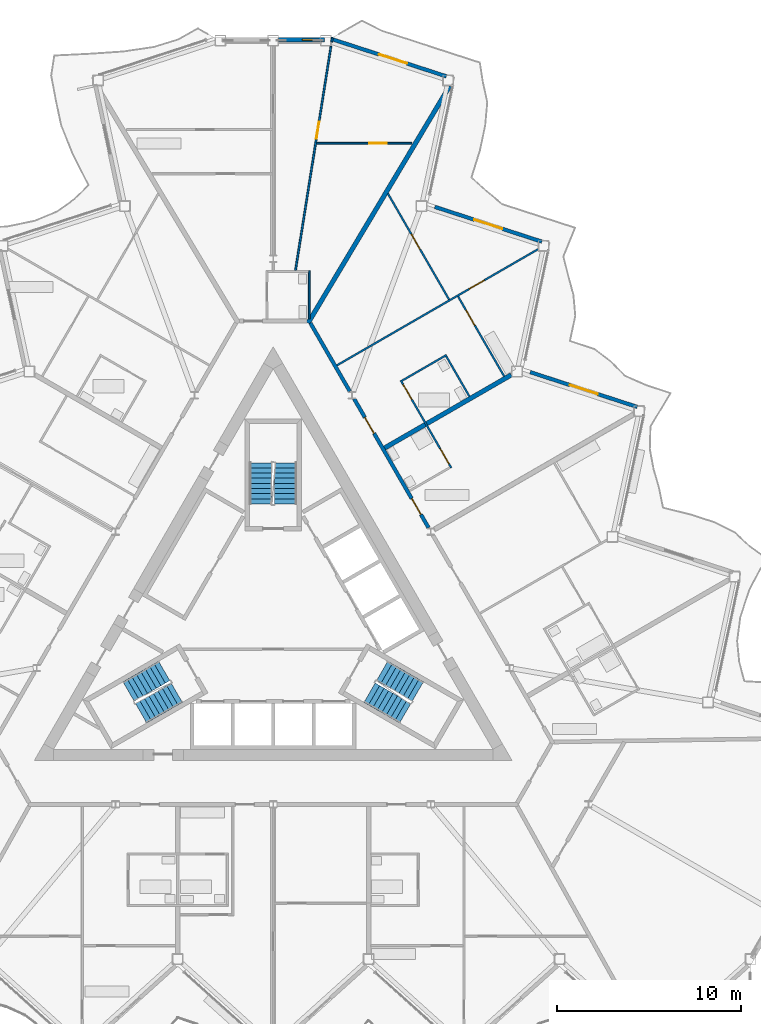
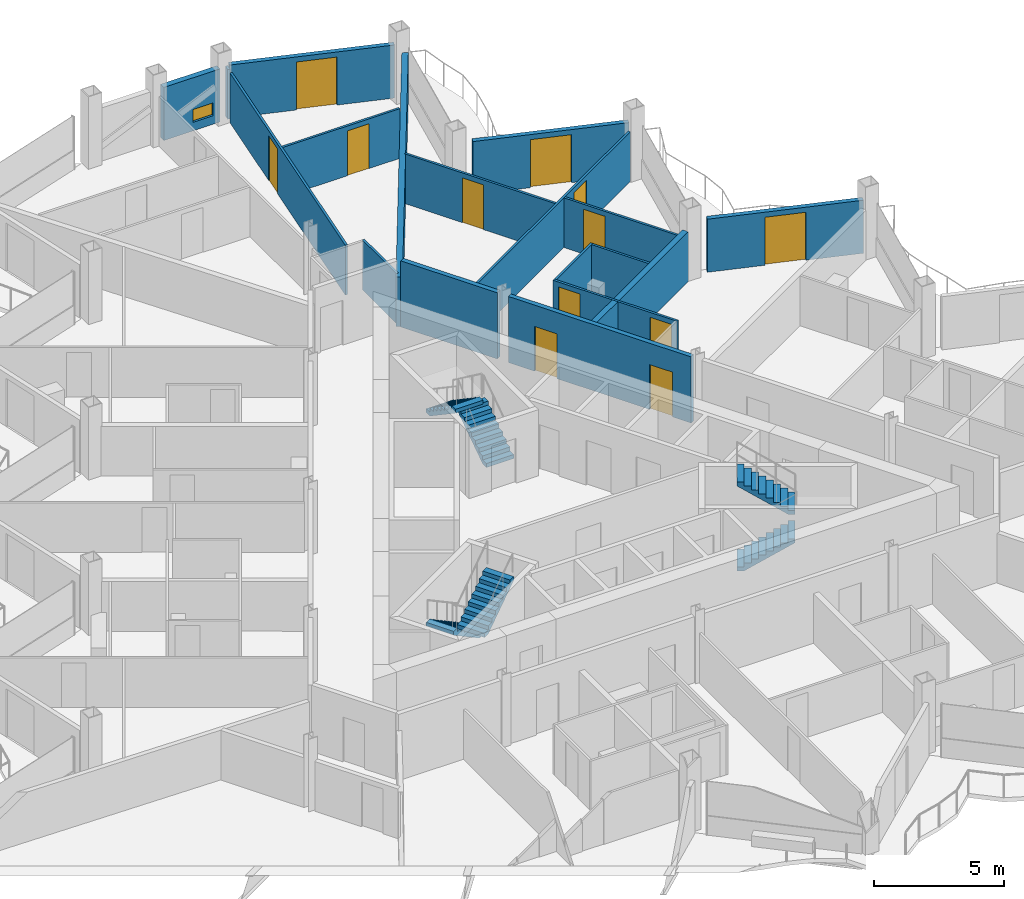
# One storey, part 18 of 26: 18 walls, 12 doors, 6 stair flights, 1 window, 13 openings, 3 elements without a shape of their own.
"""IFC4 building model written with IfcOpenShell, lengths in metres."""

from ifc_helpers import new_model, si_unit, direction, frame, frame_2d, origin, place, context, subcontext, project, spatial, polyline, rectangle, outline, extrude, material, layer, layer_set, type_object, element, fill, aggregate, save


model = new_model("IFC4")

# Units and contexts
model_context = context("Model", 3, precision=1e-05, world=origin(), true_north=direction((0.0, 1.0)))
body_context = subcontext(model_context, "Body", "Model", "MODEL_VIEW")
ifc_project = project(units=[si_unit("LENGTHUNIT", "METRE"), si_unit("AREAUNIT", "SQUARE_METRE"), si_unit("VOLUMEUNIT", "CUBIC_METRE"), si_unit("PLANEANGLEUNIT", "RADIAN"), si_unit("MASSUNIT", "GRAM", prefix="KILO")], contexts=[model_context])

# Site, building, storey
site_placement = place(None, origin())
site = spatial("IfcSite", under=ifc_project, at=site_placement, CompositionType="ELEMENT")
building_placement = place(site_placement, origin())
building = spatial("IfcBuilding", under=site, at=building_placement, Name="Cormorant Prow Tower", CompositionType="ELEMENT")
storey_placement = place(building_placement, frame((0.0, 0.0, 322.199951171875)))
storey = spatial("IfcBuildingStorey", under=building, at=storey_placement, Name="L71", CompositionType="ELEMENT", Elevation=322.199951171875)

# Wall, openings, doors
ifc_material_1 = material(Name="Gypsum board corridor wall")
ifc_layer_1 = layer(ifc_material_1, 0.199951171875)
ifc_layer_set_1 = layer_set([ifc_layer_1], Name="Gypsum board corridor wall")
wall_type_1 = type_object("IfcWallType", Name="Corridor wall 200", PredefinedType="PARTITIONING", material=ifc_layer_set_1)
wall_1_placement = place(storey_placement, frame((4.4091796875, 12.17431640625, 0.0), z_axis=(0.0, 0.0, 1.0), x_axis=(0.499984266882, -0.866034487114, 0.0)))
wall_1 = element("IfcWall", 1, at=wall_1_placement, inside=storey, type_object=wall_type_1, Name="Corridor wall", PredefinedType="PARTITIONING", context=body_context, shape_type="SweptSolid", body=[
    extrude(rectangle(XDim=8.098876953125, YDim=0.199951171875, at=frame_2d((4.04931640625, 0.0))), origin(), (0.0, 0.0, 1.0), 3.10009765625),
])
opening_1_placement = place(wall_1_placement, frame((6.268798828125, 0.0, 0.0)))
opening_1 = element("IfcOpeningElement", 2, at=opening_1_placement, cuts=wall_1, Name="Opening L71-F25", PredefinedType="OPENING", context=body_context, shape_type="SweptSolid", body=[
    extrude(rectangle(XDim=1.0, YDim=2.10009765625, at=frame_2d((0.5, 1.050048828125))), frame((0.0, 0.10986328125, 0.0), z_axis=(0.0, -1.0, 0.0), x_axis=(1.0, 0.0, 0.0)), (0.0, 0.0, 1.0), 0.219970703125),
])
opening_2_placement = place(wall_1_placement, frame((1.16357421875, 0.0, 0.0)))
opening_2 = element("IfcOpeningElement", 3, at=opening_2_placement, cuts=wall_1, Name="Opening L71-F27", PredefinedType="OPENING", context=body_context, shape_type="SweptSolid", body=[
    extrude(rectangle(XDim=1.0, YDim=2.10009765625, at=frame_2d((0.5, 1.050048828125))), frame((0.0, 0.10986328125, 0.0), z_axis=(0.0, -1.0, 0.0), x_axis=(1.0, 0.0, 0.0)), (0.0, 0.0, 1.0), 0.219970703125),
])
ifc_material_2 = material(Name="Timber door leaf", Category="wood")
door_type_1 = type_object("IfcDoorType", Name="Flat or room entrance door 1000x2100", OperationType="NOTDEFINED", PredefinedType="DOOR", material=ifc_material_2)
door_1_placement = place(opening_1_placement, origin())
door_1 = element("IfcDoor", 4, at=door_1_placement, inside=storey, type_object=door_type_1, Name="Studio living, kitchen and sleeping room door", OperationType="SINGLE_SWING_LEFT", OverallHeight=2.10009765625, OverallWidth=1.0, PredefinedType="DOOR", context=body_context, shape_type="SweptSolid", body=[
    extrude(rectangle(XDim=1.0, YDim=2.10009765625, at=frame_2d((0.5, 1.050048828125))), frame((0.0, 0.02490234375, 0.0), z_axis=(0.0, -1.0, 0.0), x_axis=(1.0, 0.0, 0.0)), (0.0, 0.0, 1.0), 0.050048828125),
])
fill(opening_1, door_1)
door_2_placement = place(opening_2_placement, origin())
door_2 = element("IfcDoor", 5, at=door_2_placement, inside=storey, type_object=door_type_1, Name="Living room door", OperationType="SINGLE_SWING_RIGHT", OverallHeight=2.10009765625, OverallWidth=1.0, PredefinedType="DOOR", context=body_context, shape_type="SweptSolid", body=[
    extrude(rectangle(XDim=1.0, YDim=2.10009765625, at=frame_2d((0.5, 1.050048828125))), frame((0.0, 0.02490234375, 0.0), z_axis=(0.0, -1.0, 0.0), x_axis=(1.0, 0.0, 0.0)), (0.0, 0.0, 1.0), 0.050048828125),
])
fill(opening_2, door_2)

# Wall
wall_2_placement = place(storey_placement, frame((2.025390625, 16.302978515625, 0.0), z_axis=(0.0, 0.0, 1.0), x_axis=(0.499978750566, -0.866037671803, 0.0)))
element("IfcWall", 6, at=wall_2_placement, inside=storey, type_object=wall_type_1, Name="Corridor wall", PredefinedType="PARTITIONING", context=body_context, shape_type="SweptSolid", body=[
    extrude(rectangle(XDim=4.287841796875, YDim=0.199951171875, at=frame_2d((2.14404296875, 0.0))), origin(), (0.0, 0.0, 1.0), 3.10009765625),
])

# Wall, opening, door
ifc_material_3 = material(Name="Gypsum board partition")
ifc_layer_2 = layer(ifc_material_3, 0.10009765625)
ifc_layer_set_2 = layer_set([ifc_layer_2], Name="Gypsum board partition")
wall_type_2 = type_object("IfcWallType", Name="Internal partition 100", PredefinedType="PARTITIONING", material=ifc_layer_set_2)
wall_3_placement = place(storey_placement, frame((3.470458984375, 14.000244140625, 0.0), z_axis=(0.0, 0.0, 1.0), x_axis=(0.866021216079, 0.500007253249, 0.0)))
wall_3 = element("IfcWall", 7, at=wall_3_placement, inside=storey, type_object=wall_type_2, Name="Internal partition", PredefinedType="PARTITIONING", context=body_context, shape_type="SweptSolid", body=[
    extrude(rectangle(XDim=12.639404296875, YDim=0.10009765625, at=frame_2d((6.31982421875, 0.0))), origin(), (0.0, 0.0, 1.0), 2.330078125),
])
opening_3_placement = place(wall_3_placement, frame((8.314453125, 0.0, 0.0)))
opening_3 = element("IfcOpeningElement", 8, at=opening_3_placement, cuts=wall_3, Name="Opening L71-F30", PredefinedType="OPENING", context=body_context, shape_type="SweptSolid", body=[
    extrude(rectangle(XDim=0.949951171875, YDim=2.10009765625, at=frame_2d((0.47509765625, 1.050048828125))), frame((0.0, 0.06005859375, 0.0), z_axis=(0.0, -1.0, 0.0), x_axis=(1.0, 0.0, 0.0)), (0.0, 0.0, 1.0), 0.1201171875),
])
ifc_material_4 = material(Name="Timber door leaf", Category="wood")
door_type_2 = type_object("IfcDoorType", Name="Bathroom door 950x2100", OperationType="NOTDEFINED", PredefinedType="DOOR", material=ifc_material_4)
door_3_placement = place(opening_3_placement, origin())
door_3 = element("IfcDoor", 9, at=door_3_placement, inside=storey, type_object=door_type_2, Name="Kitchen door", OperationType="SINGLE_SWING_LEFT", OverallHeight=2.10009765625, OverallWidth=0.949951171875, PredefinedType="DOOR", context=body_context, shape_type="SweptSolid", body=[
    extrude(rectangle(XDim=0.949951171875, YDim=2.10009765625, at=frame_2d((0.47509765625, 1.050048828125))), frame((0.0, 0.02490234375, 0.0), z_axis=(0.0, -1.0, 0.0), x_axis=(1.0, 0.0, 0.0)), (0.0, 0.0, 1.0), 0.050048828125),
])
fill(opening_3, door_3)

wall_4_placement = place(storey_placement, frame((1.21337890625, 19.160400390625, 0.0), z_axis=(0.0, 0.0, 1.0), x_axis=(0.156426176129, 0.987689653394, 0.0)))
wall_4 = element("IfcWall", 10, at=wall_4_placement, inside=storey, type_object=wall_type_2, Name="Internal partition", PredefinedType="PARTITIONING", context=body_context, shape_type="SweptSolid", body=[
    extrude(rectangle(XDim=12.35791015625, YDim=0.10009765625, at=frame_2d((6.178955078125, 0.0))), origin(), (0.0, 0.0, 1.0), 2.330078125),
])
opening_4_placement = place(wall_4_placement, frame((7.2548828125, 0.0, 0.0)))
opening_4 = element("IfcOpeningElement", 11, at=opening_4_placement, cuts=wall_4, Name="Opening L71-F37", PredefinedType="OPENING", context=body_context, shape_type="SweptSolid", body=[
    extrude(rectangle(XDim=0.949951171875, YDim=2.10009765625, at=frame_2d((0.47509765625, 1.050048828125))), frame((0.0, 0.06005859375, 0.0), z_axis=(0.0, -1.0, 0.0), x_axis=(1.0, 0.0, 0.0)), (0.0, 0.0, 1.0), 0.1201171875),
])
door_4_placement = place(opening_4_placement, origin())
door_4 = element("IfcDoor", 12, at=door_4_placement, inside=storey, type_object=door_type_2, Name="Bedroom door", OperationType="SINGLE_SWING_LEFT", OverallHeight=2.10009765625, OverallWidth=0.949951171875, PredefinedType="DOOR", context=body_context, shape_type="SweptSolid", body=[
    extrude(rectangle(XDim=0.949951171875, YDim=2.10009765625, at=frame_2d((0.47509765625, 1.050048828125))), frame((0.0, 0.02490234375, 0.0), z_axis=(0.0, -1.0, 0.0), x_axis=(1.0, 0.0, 0.0)), (0.0, 0.0, 1.0), 0.050048828125),
])
fill(opening_4, door_4)

wall_5_placement = place(storey_placement, frame((6.2412109375, 23.357421875, 0.0), z_axis=(0.0, 0.0, 1.0), x_axis=(0.499998189891, -0.866026448849, 0.0)))
wall_5 = element("IfcWall", 13, at=wall_5_placement, inside=storey, type_object=wall_type_2, Name="Internal partition", PredefinedType="PARTITIONING", context=body_context, shape_type="SweptSolid", body=[
    extrude(rectangle(XDim=6.66796875, YDim=0.10009765625, at=frame_2d((3.333984375, 0.0))), origin(), (0.0, 0.0, 1.0), 2.330078125),
])
opening_5_placement = place(wall_5_placement, frame((2.557861328125, 0.0, 0.0)))
opening_5 = element("IfcOpeningElement", 14, at=opening_5_placement, cuts=wall_5, Name="Opening L71-F31", PredefinedType="OPENING", context=body_context, shape_type="SweptSolid", body=[
    extrude(rectangle(XDim=0.949951171875, YDim=2.10009765625, at=frame_2d((0.47509765625, 1.050048828125))), frame((0.0, 0.06005859375, 0.0), z_axis=(0.0, -1.0, 0.0), x_axis=(1.0, 0.0, 0.0)), (0.0, 0.0, 1.0), 0.1201171875),
])
door_5_placement = place(opening_5_placement, origin())
door_5 = element("IfcDoor", 15, at=door_5_placement, inside=storey, type_object=door_type_2, Name="Bedroom door", OperationType="SINGLE_SWING_LEFT", OverallHeight=2.10009765625, OverallWidth=0.949951171875, PredefinedType="DOOR", context=body_context, shape_type="SweptSolid", body=[
    extrude(rectangle(XDim=0.949951171875, YDim=2.10009765625, at=frame_2d((0.47509765625, 1.050048828125))), frame((0.0, 0.02490234375, 0.0), z_axis=(0.0, -1.0, 0.0), x_axis=(1.0, 0.0, 0.0)), (0.0, 0.0, 1.0), 0.050048828125),
])
fill(opening_5, door_5)

# Wall, openings, doors
wall_6_placement = place(storey_placement, frame((6.9443359375, 13.18310546875, 0.0), z_axis=(0.0, 0.0, 1.0), x_axis=(0.499996545922, -0.866027397988, 0.0)))
wall_6 = element("IfcWall", 16, at=wall_6_placement, inside=storey, type_object=wall_type_2, Name="Internal partition", PredefinedType="PARTITIONING", context=body_context, shape_type="SweptSolid", body=[
    extrude(rectangle(XDim=5.5, YDim=0.10009765625, at=frame_2d((2.75, 0.0))), origin(), (0.0, 0.0, 1.0), 2.330078125),
])
opening_6_placement = place(wall_6_placement, frame((4.300048828125, 0.0, 0.0)))
opening_6 = element("IfcOpeningElement", 17, at=opening_6_placement, cuts=wall_6, Name="Opening L71-F26", PredefinedType="OPENING", context=body_context, shape_type="SweptSolid", body=[
    extrude(rectangle(XDim=0.949951171875, YDim=2.10009765625, at=frame_2d((0.47509765625, 1.050048828125))), frame((0.0, 0.06005859375, 0.0), z_axis=(0.0, -1.0, 0.0), x_axis=(1.0, 0.0, 0.0)), (0.0, 0.0, 1.0), 0.1201171875),
])
opening_7_placement = place(wall_6_placement, frame((0.25, 0.0, 0.0)))
opening_7 = element("IfcOpeningElement", 18, at=opening_7_placement, cuts=wall_6, Name="Opening L71-F28", PredefinedType="OPENING", context=body_context, shape_type="SweptSolid", body=[
    extrude(rectangle(XDim=0.949951171875, YDim=2.10009765625, at=frame_2d((0.47509765625, 1.050048828125))), frame((0.0, 0.06005859375, 0.0), z_axis=(0.0, -1.0, 0.0), x_axis=(1.0, 0.0, 0.0)), (0.0, 0.0, 1.0), 0.1201171875),
])
door_6_placement = place(opening_6_placement, origin())
door_6 = element("IfcDoor", 19, at=door_6_placement, inside=storey, type_object=door_type_2, Name="Studio living, kitchen and sleeping room door", OperationType="SINGLE_SWING_RIGHT", OverallHeight=2.10009765625, OverallWidth=0.949951171875, PredefinedType="DOOR", context=body_context, shape_type="SweptSolid", body=[
    extrude(rectangle(XDim=0.949951171875, YDim=2.10009765625, at=frame_2d((0.47509765625, 1.050048828125))), frame((0.0, 0.02490234375, 0.0), z_axis=(0.0, -1.0, 0.0), x_axis=(1.0, 0.0, 0.0)), (0.0, 0.0, 1.0), 0.050048828125),
])
fill(opening_6, door_6)
door_7_placement = place(opening_7_placement, origin())
door_7 = element("IfcDoor", 20, at=door_7_placement, inside=storey, type_object=door_type_2, Name="Living room door", OperationType="SINGLE_SWING_LEFT", OverallHeight=2.10009765625, OverallWidth=0.949951171875, PredefinedType="DOOR", context=body_context, shape_type="SweptSolid", body=[
    extrude(rectangle(XDim=0.949951171875, YDim=2.10009765625, at=frame_2d((0.47509765625, 1.050048828125))), frame((0.0, 0.02490234375, 0.0), z_axis=(0.0, -1.0, 0.0), x_axis=(1.0, 0.0, 0.0)), (0.0, 0.0, 1.0), 0.050048828125),
])
fill(opening_7, door_7)

# Wall, opening, door
wall_7_placement = place(storey_placement, frame((2.36083984375, 26.090087890625, 0.0), z_axis=(0.0, 0.0, 1.0), x_axis=(1.0, 0.0, 0.0)))
wall_7 = element("IfcWall", 21, at=wall_7_placement, inside=storey, type_object=wall_type_2, Name="Internal partition", PredefinedType="PARTITIONING", context=body_context, shape_type="SweptSolid", body=[
    extrude(rectangle(XDim=5.190185546875, YDim=0.10009765625, at=frame_2d((2.59521484375, 0.0))), origin(), (0.0, 0.0, 1.0), 2.330078125),
])
opening_8_placement = place(wall_7_placement, frame((2.878173828125, 0.0, 0.0)))
opening_8 = element("IfcOpeningElement", 22, at=opening_8_placement, cuts=wall_7, Name="Opening L71-F38", PredefinedType="OPENING", context=body_context, shape_type="SweptSolid", body=[
    extrude(rectangle(XDim=0.949951171875, YDim=2.10009765625, at=frame_2d((0.47509765625, 1.050048828125))), frame((0.0, 0.06005859375, 0.0), z_axis=(0.0, -1.0, 0.0), x_axis=(1.0, 0.0, 0.0)), (0.0, 0.0, 1.0), 0.1201171875),
])
door_8_placement = place(opening_8_placement, origin())
door_8 = element("IfcDoor", 23, at=door_8_placement, inside=storey, type_object=door_type_2, Name="Bedroom door", OperationType="SINGLE_SWING_LEFT", OverallHeight=2.10009765625, OverallWidth=0.949951171875, PredefinedType="DOOR", context=body_context, shape_type="SweptSolid", body=[
    extrude(rectangle(XDim=0.949951171875, YDim=2.10009765625, at=frame_2d((0.47509765625, 1.050048828125))), frame((0.0, 0.02490234375, 0.0), z_axis=(0.0, -1.0, 0.0), x_axis=(1.0, 0.0, 0.0)), (0.0, 0.0, 1.0), 0.050048828125),
])
fill(opening_8, door_8)

wall_8_placement = place(storey_placement, frame((10.065185546875, 17.75, 0.0), z_axis=(0.0, 0.0, 1.0), x_axis=(0.499989096993, -0.866031698547, 0.0)))
wall_8 = element("IfcWall", 24, at=wall_8_placement, inside=storey, type_object=wall_type_2, Name="Internal partition", PredefinedType="PARTITIONING", context=body_context, shape_type="SweptSolid", body=[
    extrude(rectangle(XDim=5.01953125, YDim=0.10009765625, at=frame_2d((2.509765625, 0.0))), origin(), (0.0, 0.0, 1.0), 2.330078125),
])
opening_9_placement = place(wall_8_placement, frame((0.862060546875, 0.0, 0.0)))
opening_9 = element("IfcOpeningElement", 25, at=opening_9_placement, cuts=wall_8, Name="Opening L71-F29", PredefinedType="OPENING", context=body_context, shape_type="SweptSolid", body=[
    extrude(rectangle(XDim=0.949951171875, YDim=2.10009765625, at=frame_2d((0.47509765625, 1.050048828125))), frame((0.0, 0.06005859375, 0.0), z_axis=(0.0, -1.0, 0.0), x_axis=(1.0, 0.0, 0.0)), (0.0, 0.0, 1.0), 0.1201171875),
])
door_9_placement = place(opening_9_placement, origin())
door_9 = element("IfcDoor", 26, at=door_9_placement, inside=storey, type_object=door_type_2, Name="Living room door", OperationType="SINGLE_SWING_LEFT", OverallHeight=2.10009765625, OverallWidth=0.949951171875, PredefinedType="DOOR", context=body_context, shape_type="SweptSolid", body=[
    extrude(rectangle(XDim=0.949951171875, YDim=2.10009765625, at=frame_2d((0.47509765625, 1.050048828125))), frame((0.0, 0.02490234375, 0.0), z_axis=(0.0, -1.0, 0.0), x_axis=(1.0, 0.0, 0.0)), (0.0, 0.0, 1.0), 0.050048828125),
])
fill(opening_9, door_9)

# Walls
wall_9_placement = place(storey_placement, frame((7.0126953125, 13.164794921875, 0.0), z_axis=(0.0, 0.0, 1.0), x_axis=(0.866034573852, 0.49998411664, 0.0)))
element("IfcWall", 27, at=wall_9_placement, inside=storey, type_object=wall_type_2, Name="Internal partition", PredefinedType="PARTITIONING", context=body_context, shape_type="SweptSolid", body=[
    extrude(rectangle(XDim=2.7998046875, YDim=0.10009765625, at=frame_2d((1.39990234375, 0.0))), origin(), (0.0, 0.0, 1.0), 2.330078125),
])
wall_10_placement = place(storey_placement, frame((1.962890625, 16.5361328125, 0.0), z_axis=(0.0, 0.0, 1.0), x_axis=(0.0, 1.0, 0.0)))
element("IfcWall", 28, at=wall_10_placement, inside=storey, type_object=wall_type_2, Name="Internal partition", PredefinedType="PARTITIONING", context=body_context, shape_type="SweptSolid", body=[
    extrude(rectangle(XDim=2.625, YDim=0.10009765625, at=frame_2d((1.3125, 0.0))), origin(), (0.0, 0.0, 1.0), 2.330078125),
])
wall_11_placement = place(storey_placement, frame((9.419189453125, 14.49658203125, 0.0), z_axis=(0.0, 0.0, 1.0), x_axis=(0.499976333282, -0.866039067339, 0.0)))
element("IfcWall", 29, at=wall_11_placement, inside=storey, type_object=wall_type_2, Name="Internal partition", PredefinedType="PARTITIONING", context=body_context, shape_type="SweptSolid", body=[
    extrude(rectangle(XDim=2.52490234375, YDim=0.10009765625, at=frame_2d((1.262451171875, 0.0))), origin(), (0.0, 0.0, 1.0), 2.330078125),
])
wall_12_placement = place(storey_placement, frame((3.183837890625, 31.601318359375, 0.0), z_axis=(0.0, 0.0, 1.0), x_axis=(0.156307264128, 0.987708478844, 0.0)))
element("IfcWall", 30, at=wall_12_placement, inside=storey, type_object=wall_type_2, Name="Internal partition", PredefinedType="PARTITIONING", context=body_context, shape_type="SweptSolid", body=[
    extrude(rectangle(XDim=0.254638671875, YDim=0.10009765625, at=frame_2d((0.12744140625, 0.0))), origin(), (0.0, 0.0, 1.0), 2.330078125),
])
ifc_material_5 = material(Name="Acoustic gypsum party wall")
ifc_layer_3 = layer(ifc_material_5, 0.25)
ifc_layer_set_3 = layer_set([ifc_layer_3], Name="Acoustic gypsum party wall")
wall_type_3 = type_object("IfcWallType", Name="Suite party wall 250", PredefinedType="PARTITIONING", material=ifc_layer_set_3)
wall_13_placement = place(storey_placement, frame((1.89892578125, 16.3037109375, 0.0), z_axis=(0.0, 0.0, 1.0), x_axis=(0.512977925681, 0.858401798556, 0.0)))
element("IfcWall", 31, at=wall_13_placement, inside=storey, type_object=wall_type_3, Name="Suite party wall", PredefinedType="PARTITIONING", context=body_context, shape_type="SweptSolid", body=[
    extrude(rectangle(XDim=15.0283203125, YDim=0.25, at=frame_2d((7.51416015625, 0.0))), origin(), (0.0, 0.0, 1.0), 2.330078125),
])
wall_14_placement = place(storey_placement, frame((6.067626953125, 9.50146484375, 0.0), z_axis=(0.0, 0.0, 1.0), x_axis=(0.866022671543, 0.50000473235, 0.0)))
element("IfcWall", 32, at=wall_14_placement, inside=storey, type_object=wall_type_3, Name="Suite party wall", PredefinedType="PARTITIONING", context=body_context, shape_type="SweptSolid", body=[
    extrude(rectangle(XDim=7.9609375, YDim=0.25, at=frame_2d((3.98046875, 0.0))), origin(), (0.0, 0.0, 1.0), 2.330078125),
])

# Wall, opening, window
ifc_material_6 = material(Name="Terracotta", Category="masonry")
ifc_layer_4 = layer(ifc_material_6, 0.25)
ifc_layer_set_4 = layer_set([ifc_layer_4], Name="Terracotta")
wall_type_4 = type_object("IfcWallType", Name="Terracotta bay wall 250", PredefinedType="SOLIDWALL", material=ifc_layer_set_4)
wall_15_placement = place(storey_placement, frame((2.78955078125, 31.727783203125, 0.0), z_axis=(0.0, 0.0, 1.0), x_axis=(-1.0, 0.0, 0.0)))
wall_15 = element("IfcWall", 33, at=wall_15_placement, inside=storey, type_object=wall_type_4, Name="Terracotta bay wall N00", PredefinedType="SOLIDWALL", context=body_context, shape_type="SweptSolid", body=[
    extrude(rectangle(XDim=2.489501953125, YDim=0.25, at=frame_2d((1.24462890625, 0.0))), origin(), (0.0, 0.0, 1.0), 2.488037109375),
])
opening_10_placement = place(wall_15_placement, frame((0.300048828125, 0.0, 0.39990234375)))
opening_10 = element("IfcOpeningElement", 34, at=opening_10_placement, cuts=wall_15, Name="Opening WN7", PredefinedType="OPENING", context=body_context, shape_type="SweptSolid", body=[
    extrude(rectangle(XDim=0.89990234375, YDim=0.60009765625, at=frame_2d((0.449951171875, 0.300048828125))), frame((0.0, 0.135009765625, 0.0), z_axis=(0.0, -1.0, 0.0), x_axis=(1.0, 0.0, 0.0)), (0.0, 0.0, 1.0), 0.27001953125),
])
ifc_material_7 = material(Name="Aluminium 6063-T6", Category="aluminium")
window_type = type_object("IfcWindowType", Name="Corner bay window 900x600", PartitioningType="SINGLE_PANEL", PredefinedType="WINDOW", material=ifc_material_7)
window_placement = place(opening_10_placement, origin())
window = element("IfcWindow", 35, at=window_placement, inside=storey, type_object=window_type, Name="Corner bay window N00", OverallHeight=0.60009765625, OverallWidth=0.89990234375, PartitioningType="SINGLE_PANEL", PredefinedType="WINDOW", context=body_context, shape_type="SweptSolid", body=[
    extrude(rectangle(XDim=0.89990234375, YDim=0.60009765625, at=frame_2d((0.449951171875, 0.300048828125))), frame((0.0, 0.030029296875, 0.0), z_axis=(0.0, -1.0, 0.0), x_axis=(1.0, 0.0, 0.0)), (0.0, 0.0, 1.0), 0.06005859375),
])
fill(opening_10, window)

# Wall, opening, door
ifc_material_8 = material(Name="Terracotta", Category="masonry")
ifc_layer_5 = layer(ifc_material_8, 0.199951171875)
ifc_layer_set_5 = layer_set([ifc_layer_5], Name="Terracotta")
wall_type_5 = type_object("IfcWallType", Name="Terracotta jamb wall 200", PredefinedType="SOLIDWALL", material=ifc_layer_set_5)
wall_16_placement = place(storey_placement, frame((19.8173828125, 11.73681640625, 0.0), z_axis=(0.0, 0.0, 1.0), x_axis=(-0.951056631566, 0.309016639608, 0.0)))
wall_16 = element("IfcWall", 36, at=wall_16_placement, inside=storey, type_object=wall_type_5, Name="Terracotta jamb wall ENE05", PredefinedType="SOLIDWALL", context=body_context, shape_type="SweptSolid", body=[
    extrude(rectangle(XDim=6.1220703125, YDim=0.199951171875, at=frame_2d((3.06103515625, 0.0))), origin(), (0.0, 0.0, 1.0), 2.488037109375),
])
opening_11_placement = place(wall_16_placement, frame((2.260986328125, 0.0, 0.0)))
opening_11 = element("IfcOpeningElement", 37, at=opening_11_placement, cuts=wall_16, Name="Opening ED71.08", PredefinedType="OPENING", context=body_context, shape_type="SweptSolid", body=[
    extrude(rectangle(XDim=1.60009765625, YDim=2.25, at=frame_2d((0.800048828125, 1.125))), frame((0.0, 0.10986328125, 0.0), z_axis=(0.0, -1.0, 0.0), x_axis=(1.0, 0.0, 0.0)), (0.0, 0.0, 1.0), 0.219970703125),
])
ifc_material_9 = material(Name="Aluminium 6063-T6", Category="aluminium")
door_type_3 = type_object("IfcDoorType", Name="Balcony door 1600x2250", OperationType="DOUBLE_DOOR_SINGLE_SWING", PredefinedType="DOOR", material=ifc_material_9)
door_10_placement = place(opening_11_placement, origin())
door_10 = element("IfcDoor", 38, at=door_10_placement, inside=storey, type_object=door_type_3, Name="Balcony door ENE05 ED71.08", OperationType="DOUBLE_DOOR_SINGLE_SWING", OverallHeight=2.25, OverallWidth=1.60009765625, PredefinedType="DOOR", context=body_context, shape_type="SweptSolid", body=[
    extrude(rectangle(XDim=1.60009765625, YDim=2.25, at=frame_2d((0.800048828125, 1.125))), frame((0.0, 0.02490234375, 0.0), z_axis=(0.0, -1.0, 0.0), x_axis=(1.0, 0.0, 0.0)), (0.0, 0.0, 1.0), 0.050048828125),
])
fill(opening_11, door_10)

wall_17_placement = place(storey_placement, frame((14.622802734375, 20.734130859375, 0.0), z_axis=(0.0, 0.0, 1.0), x_axis=(-0.951056631566, 0.309016639608, 0.0)))
wall_17 = element("IfcWall", 39, at=wall_17_placement, inside=storey, type_object=wall_type_5, Name="Terracotta jamb wall ENE07", PredefinedType="SOLIDWALL", context=body_context, shape_type="SweptSolid", body=[
    extrude(rectangle(XDim=6.1220703125, YDim=0.199951171875, at=frame_2d((3.06103515625, 0.0))), origin(), (0.0, 0.0, 1.0), 2.488037109375),
])
opening_12_placement = place(wall_17_placement, frame((2.260986328125, 0.0, 0.0)))
opening_12 = element("IfcOpeningElement", 40, at=opening_12_placement, cuts=wall_17, Name="Opening ED71.09", PredefinedType="OPENING", context=body_context, shape_type="SweptSolid", body=[
    extrude(rectangle(XDim=1.60009765625, YDim=2.25, at=frame_2d((0.800048828125, 1.125))), frame((0.0, 0.10986328125, 0.0), z_axis=(0.0, -1.0, 0.0), x_axis=(1.0, 0.0, 0.0)), (0.0, 0.0, 1.0), 0.219970703125),
])
door_11_placement = place(opening_12_placement, origin())
door_11 = element("IfcDoor", 41, at=door_11_placement, inside=storey, type_object=door_type_3, Name="Balcony door ENE07 ED71.09", OperationType="DOUBLE_DOOR_SINGLE_SWING", OverallHeight=2.25, OverallWidth=1.60009765625, PredefinedType="DOOR", context=body_context, shape_type="SweptSolid", body=[
    extrude(rectangle(XDim=1.60009765625, YDim=2.25, at=frame_2d((0.800048828125, 1.125))), frame((0.0, 0.02490234375, 0.0), z_axis=(0.0, -1.0, 0.0), x_axis=(1.0, 0.0, 0.0)), (0.0, 0.0, 1.0), 0.050048828125),
])
fill(opening_12, door_11)

wall_18_placement = place(storey_placement, frame((9.427978515625, 29.731689453125, 0.0), z_axis=(0.0, 0.0, 1.0), x_axis=(-0.951057057516, 0.309015328664, 0.0)))
wall_18 = element("IfcWall", 42, at=wall_18_placement, inside=storey, type_object=wall_type_5, Name="Terracotta jamb wall ENE09", PredefinedType="SOLIDWALL", context=body_context, shape_type="SweptSolid", body=[
    extrude(rectangle(XDim=6.476806640625, YDim=0.199951171875, at=frame_2d((3.23828125, 0.0))), origin(), (0.0, 0.0, 1.0), 2.488037109375),
])
opening_13_placement = place(wall_18_placement, frame((2.260986328125, 0.0, 0.0)))
opening_13 = element("IfcOpeningElement", 43, at=opening_13_placement, cuts=wall_18, Name="Opening ED71.10", PredefinedType="OPENING", context=body_context, shape_type="SweptSolid", body=[
    extrude(rectangle(XDim=1.60009765625, YDim=2.25, at=frame_2d((0.800048828125, 1.125))), frame((0.0, 0.10986328125, 0.0), z_axis=(0.0, -1.0, 0.0), x_axis=(1.0, 0.0, 0.0)), (0.0, 0.0, 1.0), 0.219970703125),
])
door_12_placement = place(opening_13_placement, origin())
door_12 = element("IfcDoor", 44, at=door_12_placement, inside=storey, type_object=door_type_3, Name="Balcony door ENE09 ED71.10", OperationType="DOUBLE_DOOR_SINGLE_SWING", OverallHeight=2.25, OverallWidth=1.60009765625, PredefinedType="DOOR", context=body_context, shape_type="SweptSolid", body=[
    extrude(rectangle(XDim=1.60009765625, YDim=2.25, at=frame_2d((0.800048828125, 1.125))), frame((0.0, 0.02490234375, 0.0), z_axis=(0.0, -1.0, 0.0), x_axis=(1.0, 0.0, 0.0)), (0.0, 0.0, 1.0), 0.050048828125),
])
fill(opening_13, door_12)

# Stair, stair flights
ifc_material_10 = material(Name="Exit stair 18 risers")
stair_type = type_object("IfcStairType", Name="Exit stair 18 risers", PredefinedType="HALF_TURN_STAIR", material=ifc_material_10)
stair_1_placement = place(storey_placement, origin())
stair_1 = element("IfcStair", 45, at=stair_1_placement, inside=storey, type_object=stair_type, Name="L71 Exit stair ST1", PredefinedType="HALF_TURN_STAIR")
ifc_material_11 = material(Name="Concrete 5000 psi", Category="concrete")
stair_flight_type = type_object("IfcStairFlightType", Name="Stair flight 1219", PredefinedType="STRAIGHT", material=ifc_material_11)
stair_flight_1_placement = place(storey_placement, frame((-5.93310546875, -2.635009765625, 0.0), z_axis=(0.0, 0.0, 1.0), x_axis=(-0.866025403784, -0.5, 0.0)))
stair_flight_1 = element("IfcStairFlight", 46, at=stair_flight_1_placement, type_object=stair_flight_type, Name="ST1 flight 1", NumberOfRisers=9, NumberOfTreads=8, PredefinedType="STRAIGHT", RiserHeight=0.188888889, TreadLength=0.28, context=body_context, shape_type="SweptSolid", body=[
    extrude(outline(polyline([(0.0, 0.0), (0.0, 0.18896484375), (0.280029296875, 0.18896484375), (0.280029296875, 0.377685546875), (0.56005859375, 0.377685546875), (0.56005859375, 0.566650390625), (0.840087890625, 0.566650390625), (0.840087890625, 0.755615234375), (1.1201171875, 0.755615234375), (1.1201171875, 0.9443359375), (1.39990234375, 0.9443359375), (1.39990234375, 1.13330078125), (1.679931640625, 1.13330078125), (1.679931640625, 1.322265625), (1.9599609375, 1.322265625), (1.9599609375, 1.51123046875), (2.239990234375, 1.51123046875), (2.239990234375, 1.699951171875), (2.239990234375, 1.330322265625), (0.26806640625, 0.0), (0.0, 0.0)])), frame((0.0, 0.609375, 0.0), z_axis=(0.0, -1.0, 0.0), x_axis=(1.0, 0.0, 0.0)), (0.0, 0.0, 1.0), 1.218994140625),
])
stair_flight_2_placement = place(storey_placement, frame((-7.1884765625, -4.940673828125, 1.699951171875), z_axis=(0.0, 0.0, 1.0), x_axis=(0.866025403784, 0.5, 0.0)))
stair_flight_2 = element("IfcStairFlight", 47, at=stair_flight_2_placement, type_object=stair_flight_type, Name="ST1 flight 2", NumberOfRisers=9, NumberOfTreads=8, PredefinedType="STRAIGHT", RiserHeight=0.188888889, TreadLength=0.28, context=body_context, shape_type="SweptSolid", body=[
    extrude(outline(polyline([(0.0, 0.0), (0.0, 0.18896484375), (0.280029296875, 0.18896484375), (0.280029296875, 0.377685546875), (0.56005859375, 0.377685546875), (0.56005859375, 0.566650390625), (0.840087890625, 0.566650390625), (0.840087890625, 0.755615234375), (1.1201171875, 0.755615234375), (1.1201171875, 0.9443359375), (1.39990234375, 0.9443359375), (1.39990234375, 1.13330078125), (1.679931640625, 1.13330078125), (1.679931640625, 1.322265625), (1.9599609375, 1.322265625), (1.9599609375, 1.51123046875), (2.239990234375, 1.51123046875), (2.239990234375, 1.699951171875), (2.239990234375, 1.330322265625), (0.26806640625, 0.0), (0.0, 0.0)])), frame((0.0, 0.609375, 0.0), z_axis=(0.0, -1.0, 0.0), x_axis=(1.0, 0.0, 0.0)), (0.0, 0.0, 1.0), 1.218994140625),
])
aggregate(stair_1, [stair_flight_1, stair_flight_2])

stair_2_placement = place(storey_placement, origin())
stair_2 = element("IfcStair", 48, at=stair_2_placement, inside=storey, type_object=stair_type, Name="L71 Exit stair ST2", PredefinedType="HALF_TURN_STAIR")
stair_flight_3_placement = place(storey_placement, frame((5.24853515625, -3.82080078125, 0.0), z_axis=(0.0, 0.0, 1.0), x_axis=(0.866025403784, -0.5, 0.0)))
stair_flight_3 = element("IfcStairFlight", 49, at=stair_flight_3_placement, type_object=stair_flight_type, Name="ST2 flight 1", NumberOfRisers=9, NumberOfTreads=8, PredefinedType="STRAIGHT", RiserHeight=0.188888889, TreadLength=0.28, context=body_context, shape_type="SweptSolid", body=[
    extrude(outline(polyline([(0.0, 0.0), (0.0, 0.18896484375), (0.280029296875, 0.18896484375), (0.280029296875, 0.377685546875), (0.56005859375, 0.377685546875), (0.56005859375, 0.566650390625), (0.840087890625, 0.566650390625), (0.840087890625, 0.755615234375), (1.1201171875, 0.755615234375), (1.1201171875, 0.9443359375), (1.39990234375, 0.9443359375), (1.39990234375, 1.13330078125), (1.679931640625, 1.13330078125), (1.679931640625, 1.322265625), (1.9599609375, 1.322265625), (1.9599609375, 1.51123046875), (2.239990234375, 1.51123046875), (2.239990234375, 1.699951171875), (2.239990234375, 1.330322265625), (0.26806640625, 0.0), (0.0, 0.0)])), frame((0.0, 0.609375, 0.0), z_axis=(0.0, -1.0, 0.0), x_axis=(1.0, 0.0, 0.0)), (0.0, 0.0, 1.0), 1.218994140625),
])
stair_flight_4_placement = place(storey_placement, frame((7.873046875, -3.755126953125, 1.699951171875), z_axis=(0.0, 0.0, 1.0), x_axis=(-0.866025403784, 0.5, 0.0)))
stair_flight_4 = element("IfcStairFlight", 50, at=stair_flight_4_placement, type_object=stair_flight_type, Name="ST2 flight 2", NumberOfRisers=9, NumberOfTreads=8, PredefinedType="STRAIGHT", RiserHeight=0.188888889, TreadLength=0.28, context=body_context, shape_type="SweptSolid", body=[
    extrude(outline(polyline([(0.0, 0.0), (0.0, 0.18896484375), (0.280029296875, 0.18896484375), (0.280029296875, 0.377685546875), (0.56005859375, 0.377685546875), (0.56005859375, 0.566650390625), (0.840087890625, 0.566650390625), (0.840087890625, 0.755615234375), (1.1201171875, 0.755615234375), (1.1201171875, 0.9443359375), (1.39990234375, 0.9443359375), (1.39990234375, 1.13330078125), (1.679931640625, 1.13330078125), (1.679931640625, 1.322265625), (1.9599609375, 1.322265625), (1.9599609375, 1.51123046875), (2.239990234375, 1.51123046875), (2.239990234375, 1.699951171875), (2.239990234375, 1.330322265625), (0.26806640625, 0.0), (0.0, 0.0)])), frame((0.0, 0.609375, 0.0), z_axis=(0.0, -1.0, 0.0), x_axis=(1.0, 0.0, 0.0)), (0.0, 0.0, 1.0), 1.218994140625),
])
aggregate(stair_2, [stair_flight_3, stair_flight_4])

stair_3_placement = place(storey_placement, origin())
stair_3 = element("IfcStair", 51, at=stair_3_placement, inside=storey, type_object=stair_type, Name="L71 Exit stair ST3", PredefinedType="HALF_TURN_STAIR")
stair_flight_5_placement = place(storey_placement, frame((0.6845703125, 6.455810546875, 0.0), z_axis=(0.0, 0.0, 1.0), x_axis=(0.0, 1.0, 0.0)))
stair_flight_5 = element("IfcStairFlight", 52, at=stair_flight_5_placement, type_object=stair_flight_type, Name="ST3 flight 1", NumberOfRisers=9, NumberOfTreads=8, PredefinedType="STRAIGHT", RiserHeight=0.188888889, TreadLength=0.28, context=body_context, shape_type="SweptSolid", body=[
    extrude(outline(polyline([(0.0, 0.0), (0.0, 0.18896484375), (0.280029296875, 0.18896484375), (0.280029296875, 0.377685546875), (0.56005859375, 0.377685546875), (0.56005859375, 0.566650390625), (0.840087890625, 0.566650390625), (0.840087890625, 0.755615234375), (1.1201171875, 0.755615234375), (1.1201171875, 0.9443359375), (1.39990234375, 0.9443359375), (1.39990234375, 1.13330078125), (1.679931640625, 1.13330078125), (1.679931640625, 1.322265625), (1.9599609375, 1.322265625), (1.9599609375, 1.51123046875), (2.239990234375, 1.51123046875), (2.239990234375, 1.699951171875), (2.239990234375, 1.330322265625), (0.26806640625, 0.0), (0.0, 0.0)])), frame((0.0, 0.609375, 0.0), z_axis=(0.0, -1.0, 0.0), x_axis=(1.0, 0.0, 0.0)), (0.0, 0.0, 1.0), 1.218994140625),
])
stair_flight_6_placement = place(storey_placement, frame((-0.6845703125, 8.69580078125, 1.699951171875), z_axis=(0.0, 0.0, 1.0), x_axis=(0.0, -1.0, 0.0)))
stair_flight_6 = element("IfcStairFlight", 53, at=stair_flight_6_placement, type_object=stair_flight_type, Name="ST3 flight 2", NumberOfRisers=9, NumberOfTreads=8, PredefinedType="STRAIGHT", RiserHeight=0.188888889, TreadLength=0.28, context=body_context, shape_type="SweptSolid", body=[
    extrude(outline(polyline([(0.0, 0.0), (0.0, 0.18896484375), (0.280029296875, 0.18896484375), (0.280029296875, 0.377685546875), (0.56005859375, 0.377685546875), (0.56005859375, 0.566650390625), (0.840087890625, 0.566650390625), (0.840087890625, 0.755615234375), (1.1201171875, 0.755615234375), (1.1201171875, 0.9443359375), (1.39990234375, 0.9443359375), (1.39990234375, 1.13330078125), (1.679931640625, 1.13330078125), (1.679931640625, 1.322265625), (1.9599609375, 1.322265625), (1.9599609375, 1.51123046875), (2.239990234375, 1.51123046875), (2.239990234375, 1.699951171875), (2.239990234375, 1.330322265625), (0.26806640625, 0.0), (0.0, 0.0)])), frame((0.0, 0.609375, 0.0), z_axis=(0.0, -1.0, 0.0), x_axis=(1.0, 0.0, 0.0)), (0.0, 0.0, 1.0), 1.218994140625),
])
aggregate(stair_3, [stair_flight_5, stair_flight_6])

save(model, "model.ifc")
